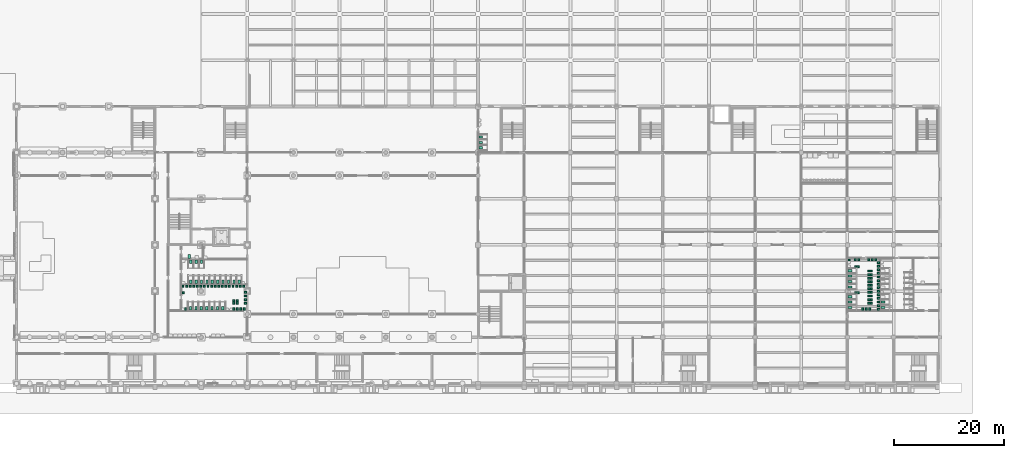
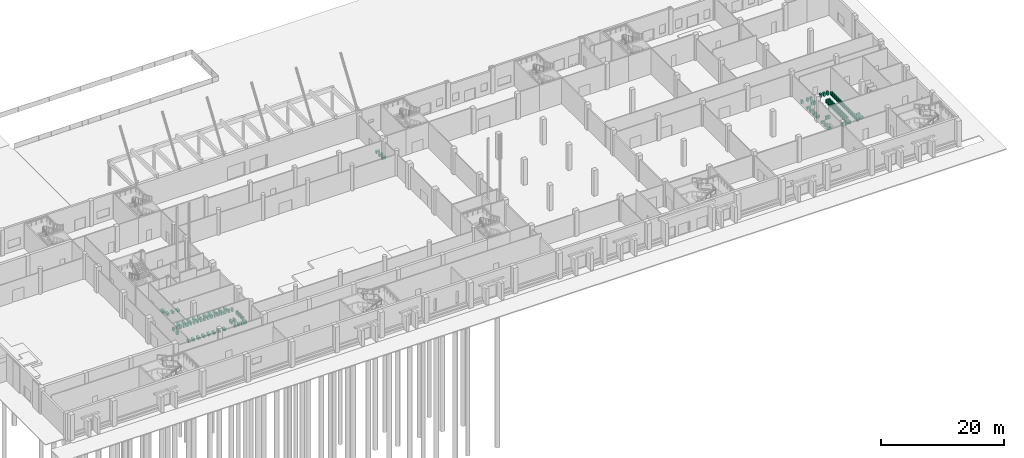
# One storey, part 72 of 74: 112 sanitary terminals.
"""IFC4 building model written with IfcOpenShell, lengths in metres."""

from ifc_helpers import new_model, si_unit, direction, frame, origin, origin_2d, place, context, subcontext, project, spatial, rectangle, extrude, material, type_object, element, save


model = new_model("IFC4")

# Units and contexts
model_context = context("Model", 3, precision=1e-05, world=origin(), true_north=direction((0.0, 1.0)))
body_context = subcontext(model_context, "Body", "Model", "MODEL_VIEW")
ifc_project = project(units=[si_unit("LENGTHUNIT", "METRE"), si_unit("AREAUNIT", "SQUARE_METRE"), si_unit("VOLUMEUNIT", "CUBIC_METRE"), si_unit("PLANEANGLEUNIT", "RADIAN"), si_unit("MASSUNIT", "GRAM", prefix="KILO")], contexts=[model_context])

# Site, building, storey
site_placement = place(None, origin())
site = spatial("IfcSite", under=ifc_project, at=site_placement, CompositionType="ELEMENT")
building_placement = place(site_placement, origin())
building = spatial("IfcBuilding", under=site, at=building_placement, Name="Rulbaag Community and Learning Centre", CompositionType="ELEMENT")
storey_placement = place(building_placement, origin())
storey = spatial("IfcBuildingStorey", under=building, at=storey_placement, Name="L00", CompositionType="ELEMENT", Elevation=0.0)

# Sanitary terminals
ifc_material = material(Name="Vitreous china", Category="ceramic")
sanitary_terminal_type_1 = type_object("IfcSanitaryTerminalType", Name="UR-350", PredefinedType="URINAL", material=ifc_material)
for number, where, z_axis, x_axis, name in (
    (1, (30.804931640625, 13.530029296875, 0.0), (0.0, 0.0, 1.0), (1.0, 0.0, 0.0), "Urinal 01"),
    (2, (39.5048828125, 13.530029296875, 0.0), (0.0, 0.0, 1.0), (1.0, 0.0, 0.0), "Urinal 02"),
    (3, (40.155029296875, 13.530029296875, 0.0), (0.0, 0.0, 1.0), (1.0, 0.0, 0.0), "Urinal 03"),
    (4, (40.804931640625, 13.530029296875, 0.0), (0.0, 0.0, 1.0), (1.0, 0.0, 0.0), "Urinal 04"),
    (5, (41.455078125, 13.530029296875, 0.0), (0.0, 0.0, 1.0), (1.0, 0.0, 0.0), "Urinal 05"),
    (6, (30.304931640625, 17.669921875, 0.0), (0.0, 0.0, 1.0), (1.0, 0.0, 0.0), "Urinal 06"),
    (7, (30.955078125, 17.669921875, 0.0), (0.0, 0.0, 1.0), (1.0, 0.0, 0.0), "Urinal 07"),
    (8, (31.60498046875, 17.669921875, 0.0), (0.0, 0.0, 1.0), (1.0, 0.0, 0.0), "Urinal 08"),
    (9, (32.2548828125, 17.669921875, 0.0), (0.0, 0.0, 1.0), (1.0, 0.0, 0.0), "Urinal 09"),
    (10, (32.905029296875, 17.669921875, 0.0), (0.0, 0.0, 1.0), (1.0, 0.0, 0.0), "Urinal 10"),
    (11, (33.554931640625, 17.669921875, 0.0), (0.0, 0.0, 1.0), (1.0, 0.0, 0.0), "Urinal 11"),
    (12, (34.205078125, 17.669921875, 0.0), (0.0, 0.0, 1.0), (1.0, 0.0, 0.0), "Urinal 12"),
    (13, (34.85498046875, 17.669921875, 0.0), (0.0, 0.0, 1.0), (1.0, 0.0, 0.0), "Urinal 13"),
    (14, (35.5048828125, 17.669921875, 0.0), (0.0, 0.0, 1.0), (1.0, 0.0, 0.0), "Urinal 14"),
    (15, (36.155029296875, 17.669921875, 0.0), (0.0, 0.0, 1.0), (1.0, 0.0, 0.0), "Urinal 15"),
    (16, (36.804931640625, 17.669921875, 0.0), (0.0, 0.0, 1.0), (1.0, 0.0, 0.0), "Urinal 16"),
    (17, (37.455078125, 17.669921875, 0.0), (0.0, 0.0, 1.0), (1.0, 0.0, 0.0), "Urinal 17"),
    (18, (38.10498046875, 17.669921875, 0.0), (0.0, 0.0, 1.0), (1.0, 0.0, 0.0), "Urinal 18"),
    (19, (38.7548828125, 17.669921875, 0.0), (0.0, 0.0, 1.0), (1.0, 0.0, 0.0), "Urinal 19"),
    (20, (39.405029296875, 17.669921875, 0.0), (0.0, 0.0, 1.0), (1.0, 0.0, 0.0), "Urinal 20"),
    (21, (40.054931640625, 17.669921875, 0.0), (0.0, 0.0, 1.0), (1.0, 0.0, 0.0), "Urinal 21"),
    (22, (40.705078125, 17.669921875, 0.0), (0.0, 0.0, 1.0), (1.0, 0.0, 0.0), "Urinal 22"),
    (23, (41.35498046875, 17.669921875, 0.0), (0.0, 0.0, 1.0), (1.0, 0.0, 0.0), "Urinal 23"),
):
    element("IfcSanitaryTerminal", number, at=place(storey_placement, frame(where, z_axis=z_axis, x_axis=x_axis)), inside=storey, type_object=sanitary_terminal_type_1, Name=name, PredefinedType="URINAL", context=body_context, shape_type="SweptSolid", body=[
        extrude(rectangle(XDim=0.35009765625, YDim=0.39990234375, at=origin_2d()), origin(), (0.0, 0.0, 1.0), 0.64990234375),
    ])
for number, where, z_axis, x_axis, name in (
    (24, (30.330078125, 16.455078125, 0.0), (0.0, 0.0, 1.0), (1.0, 0.0, 0.0), "Urinal 24"),
    (25, (41.669921875, 14.60498046875, 0.0), (0.0, 0.0, 1.0), (1.0, 0.0, 0.0), "Urinal 25"),
    (26, (41.669921875, 15.2548828125, 0.0), (0.0, 0.0, 1.0), (1.0, 0.0, 0.0), "Urinal 26"),
    (27, (41.669921875, 15.905029296875, 0.0), (0.0, 0.0, 1.0), (1.0, 0.0, 0.0), "Urinal 27"),
    (28, (41.669921875, 16.554931640625, 0.0), (0.0, 0.0, 1.0), (1.0, 0.0, 0.0), "Urinal 28"),
):
    element("IfcSanitaryTerminal", number, at=place(storey_placement, frame(where, z_axis=z_axis, x_axis=x_axis)), inside=storey, type_object=sanitary_terminal_type_1, Name=name, PredefinedType="URINAL", context=body_context, shape_type="SweptSolid", body=[
        extrude(rectangle(XDim=0.39990234375, YDim=0.35009765625, at=origin_2d()), origin(), (0.0, 0.0, 1.0), 0.64990234375),
    ])
for number, where, z_axis, x_axis, name in (
    (29, (39.5048828125, 14.6298828125, 0.0), (0.0, 0.0, 1.0), (1.0, 0.0, 0.0), "Urinal 29"),
    (30, (39.5048828125, 15.030029296875, 0.0), (0.0, 0.0, 1.0), (1.0, 0.0, 0.0), "Urinal 30"),
    (31, (40.155029296875, 14.6298828125, 0.0), (0.0, 0.0, 1.0), (1.0, 0.0, 0.0), "Urinal 31"),
    (32, (40.155029296875, 15.030029296875, 0.0), (0.0, 0.0, 1.0), (1.0, 0.0, 0.0), "Urinal 32"),
):
    element("IfcSanitaryTerminal", number, at=place(storey_placement, frame(where, z_axis=z_axis, x_axis=x_axis)), inside=storey, type_object=sanitary_terminal_type_1, Name=name, PredefinedType="URINAL", context=body_context, shape_type="SweptSolid", body=[
        extrude(rectangle(XDim=0.35009765625, YDim=0.39990234375, at=origin_2d()), origin(), (0.0, 0.0, 1.0), 0.64990234375),
    ])
for number, where, z_axis, x_axis, name in (
    (33, (151.530029296875, 22.455078125, 0.0), (0.0, 0.0, 1.0), (1.0, 0.0, 0.0), "Urinal 33"),
    (34, (156.8701171875, 13.5048828125, 0.0), (0.0, 0.0, 1.0), (1.0, 0.0, 0.0), "Urinal 34"),
    (35, (156.8701171875, 14.155029296875, 0.0), (0.0, 0.0, 1.0), (1.0, 0.0, 0.0), "Urinal 35"),
    (36, (156.8701171875, 14.804931640625, 0.0), (0.0, 0.0, 1.0), (1.0, 0.0, 0.0), "Urinal 36"),
    (37, (156.8701171875, 15.455078125, 0.0), (0.0, 0.0, 1.0), (1.0, 0.0, 0.0), "Urinal 37"),
    (38, (156.8701171875, 16.10498046875, 0.0), (0.0, 0.0, 1.0), (1.0, 0.0, 0.0), "Urinal 38"),
    (39, (156.8701171875, 16.7548828125, 0.0), (0.0, 0.0, 1.0), (1.0, 0.0, 0.0), "Urinal 39"),
    (40, (156.8701171875, 17.405029296875, 0.0), (0.0, 0.0, 1.0), (1.0, 0.0, 0.0), "Urinal 40"),
    (41, (156.8701171875, 18.054931640625, 0.0), (0.0, 0.0, 1.0), (1.0, 0.0, 0.0), "Urinal 41"),
    (42, (156.8701171875, 18.705078125, 0.0), (0.0, 0.0, 1.0), (1.0, 0.0, 0.0), "Urinal 42"),
    (43, (156.8701171875, 19.35498046875, 0.0), (0.0, 0.0, 1.0), (1.0, 0.0, 0.0), "Urinal 43"),
    (44, (156.8701171875, 20.0048828125, 0.0), (0.0, 0.0, 1.0), (1.0, 0.0, 0.0), "Urinal 44"),
    (45, (156.8701171875, 20.655029296875, 0.0), (0.0, 0.0, 1.0), (1.0, 0.0, 0.0), "Urinal 45"),
    (46, (156.8701171875, 21.304931640625, 0.0), (0.0, 0.0, 1.0), (1.0, 0.0, 0.0), "Urinal 46"),
    (47, (156.8701171875, 21.955078125, 0.0), (0.0, 0.0, 1.0), (1.0, 0.0, 0.0), "Urinal 47"),
):
    element("IfcSanitaryTerminal", number, at=place(storey_placement, frame(where, z_axis=z_axis, x_axis=x_axis)), inside=storey, type_object=sanitary_terminal_type_1, Name=name, PredefinedType="URINAL", context=body_context, shape_type="SweptSolid", body=[
        extrude(rectangle(XDim=0.39990234375, YDim=0.35009765625, at=origin_2d()), origin(), (0.0, 0.0, 1.0), 0.64990234375),
    ])
for number, where, z_axis, x_axis, name in (
    (48, (154.0048828125, 13.530029296875, 0.0), (0.0, 0.0, 1.0), (1.0, 0.0, 0.0), "Urinal 48"),
    (49, (154.655029296875, 13.530029296875, 0.0), (0.0, 0.0, 1.0), (1.0, 0.0, 0.0), "Urinal 49"),
    (50, (155.304931640625, 13.530029296875, 0.0), (0.0, 0.0, 1.0), (1.0, 0.0, 0.0), "Urinal 50"),
    (51, (152.60498046875, 22.469970703125, 0.0), (0.0, 0.0, 1.0), (1.0, 0.0, 0.0), "Urinal 51"),
    (52, (153.2548828125, 22.469970703125, 0.0), (0.0, 0.0, 1.0), (1.0, 0.0, 0.0), "Urinal 52"),
    (53, (155.054931640625, 22.469970703125, 0.0), (0.0, 0.0, 1.0), (1.0, 0.0, 0.0), "Urinal 53"),
    (54, (155.705078125, 22.469970703125, 0.0), (0.0, 0.0, 1.0), (1.0, 0.0, 0.0), "Urinal 54"),
    (55, (156.35498046875, 22.469970703125, 0.0), (0.0, 0.0, 1.0), (1.0, 0.0, 0.0), "Urinal 55"),
):
    element("IfcSanitaryTerminal", number, at=place(storey_placement, frame(where, z_axis=z_axis, x_axis=x_axis)), inside=storey, type_object=sanitary_terminal_type_1, Name=name, PredefinedType="URINAL", context=body_context, shape_type="SweptSolid", body=[
        extrude(rectangle(XDim=0.35009765625, YDim=0.39990234375, at=origin_2d()), origin(), (0.0, 0.0, 1.0), 0.64990234375),
    ])
for number, where, z_axis, x_axis, name in (
    (56, (152.72998046875, 16.455078125, 0.0), (0.0, 0.0, 1.0), (1.0, 0.0, 0.0), "Urinal 56"),
    (57, (153.1298828125, 16.455078125, 0.0), (0.0, 0.0, 1.0), (1.0, 0.0, 0.0), "Urinal 57"),
    (58, (152.72998046875, 21.205078125, 0.0), (0.0, 0.0, 1.0), (1.0, 0.0, 0.0), "Urinal 58"),
    (59, (153.1298828125, 21.205078125, 0.0), (0.0, 0.0, 1.0), (1.0, 0.0, 0.0), "Urinal 59"),
    (60, (155.1298828125, 14.60498046875, 0.0), (0.0, 0.0, 1.0), (1.0, 0.0, 0.0), "Urinal 60"),
    (61, (155.530029296875, 14.60498046875, 0.0), (0.0, 0.0, 1.0), (1.0, 0.0, 0.0), "Urinal 61"),
    (62, (155.1298828125, 15.2548828125, 0.0), (0.0, 0.0, 1.0), (1.0, 0.0, 0.0), "Urinal 62"),
    (63, (155.530029296875, 15.2548828125, 0.0), (0.0, 0.0, 1.0), (1.0, 0.0, 0.0), "Urinal 63"),
    (64, (155.1298828125, 15.905029296875, 0.0), (0.0, 0.0, 1.0), (1.0, 0.0, 0.0), "Urinal 64"),
    (65, (155.530029296875, 15.905029296875, 0.0), (0.0, 0.0, 1.0), (1.0, 0.0, 0.0), "Urinal 65"),
    (66, (155.1298828125, 16.554931640625, 0.0), (0.0, 0.0, 1.0), (1.0, 0.0, 0.0), "Urinal 66"),
    (67, (155.530029296875, 16.554931640625, 0.0), (0.0, 0.0, 1.0), (1.0, 0.0, 0.0), "Urinal 67"),
    (68, (155.1298828125, 17.205078125, 0.0), (0.0, 0.0, 1.0), (1.0, 0.0, 0.0), "Urinal 68"),
    (69, (155.530029296875, 17.205078125, 0.0), (0.0, 0.0, 1.0), (1.0, 0.0, 0.0), "Urinal 69"),
    (70, (155.1298828125, 17.85498046875, 0.0), (0.0, 0.0, 1.0), (1.0, 0.0, 0.0), "Urinal 70"),
    (71, (155.530029296875, 17.85498046875, 0.0), (0.0, 0.0, 1.0), (1.0, 0.0, 0.0), "Urinal 71"),
    (72, (155.1298828125, 18.5048828125, 0.0), (0.0, 0.0, 1.0), (1.0, 0.0, 0.0), "Urinal 72"),
    (73, (155.530029296875, 18.5048828125, 0.0), (0.0, 0.0, 1.0), (1.0, 0.0, 0.0), "Urinal 73"),
    (74, (155.1298828125, 19.155029296875, 0.0), (0.0, 0.0, 1.0), (1.0, 0.0, 0.0), "Urinal 74"),
    (75, (155.530029296875, 19.155029296875, 0.0), (0.0, 0.0, 1.0), (1.0, 0.0, 0.0), "Urinal 75"),
    (76, (155.1298828125, 19.804931640625, 0.0), (0.0, 0.0, 1.0), (1.0, 0.0, 0.0), "Urinal 76"),
    (77, (155.530029296875, 19.804931640625, 0.0), (0.0, 0.0, 1.0), (1.0, 0.0, 0.0), "Urinal 77"),
    (78, (155.1298828125, 20.455078125, 0.0), (0.0, 0.0, 1.0), (1.0, 0.0, 0.0), "Urinal 78"),
    (79, (155.530029296875, 20.455078125, 0.0), (0.0, 0.0, 1.0), (1.0, 0.0, 0.0), "Urinal 79"),
):
    element("IfcSanitaryTerminal", number, at=place(storey_placement, frame(where, z_axis=z_axis, x_axis=x_axis)), inside=storey, type_object=sanitary_terminal_type_1, Name=name, PredefinedType="URINAL", context=body_context, shape_type="SweptSolid", body=[
        extrude(rectangle(XDim=0.39990234375, YDim=0.35009765625, at=origin_2d()), origin(), (0.0, 0.0, 1.0), 0.64990234375),
    ])
sanitary_terminal_type_2 = type_object("IfcSanitaryTerminalType", Name="WC-400", PredefinedType="TOILETPAN", material=ifc_material)
for number, where, z_axis, x_axis, name in (
    (80, (31.669921875, 13.679931640625, 0.0), (0.0, 0.0, 1.0), (1.0, 0.0, 0.0), "WC 01"),
    (81, (32.64990234375, 13.679931640625, 0.0), (0.0, 0.0, 1.0), (1.0, 0.0, 0.0), "WC 02"),
    (82, (33.6298828125, 13.679931640625, 0.0), (0.0, 0.0, 1.0), (1.0, 0.0, 0.0), "WC 03"),
    (83, (34.610107421875, 13.679931640625, 0.0), (0.0, 0.0, 1.0), (1.0, 0.0, 0.0), "WC 04"),
    (84, (35.590087890625, 13.679931640625, 0.0), (0.0, 0.0, 1.0), (1.0, 0.0, 0.0), "WC 05"),
    (85, (36.570068359375, 13.679931640625, 0.0), (0.0, 0.0, 1.0), (1.0, 0.0, 0.0), "WC 06"),
    (86, (37.550048828125, 13.679931640625, 0.0), (0.0, 0.0, 1.0), (1.0, 0.0, 0.0), "WC 07"),
):
    element("IfcSanitaryTerminal", number, at=place(storey_placement, frame(where, z_axis=z_axis, x_axis=x_axis)), inside=storey, type_object=sanitary_terminal_type_2, Name=name, PredefinedType="TOILETPAN", context=body_context, shape_type="SweptSolid", body=[
        extrude(rectangle(XDim=0.39990234375, YDim=0.699951171875, at=origin_2d()), origin(), (0.0, 0.0, 1.0), 0.449951171875),
    ])
for number, where, z_axis, x_axis, name in (
    (87, (151.679931640625, 13.820068359375, 0.0), (0.0, 0.0, 1.0), (1.0, 0.0, 0.0), "WC 08"),
    (88, (151.679931640625, 14.800048828125, 0.0), (0.0, 0.0, 1.0), (1.0, 0.0, 0.0), "WC 09"),
    (89, (151.679931640625, 15.780029296875, 0.0), (0.0, 0.0, 1.0), (1.0, 0.0, 0.0), "WC 10"),
    (90, (151.679931640625, 17.56005859375, 0.0), (0.0, 0.0, 1.0), (1.0, 0.0, 0.0), "WC 11"),
    (91, (151.679931640625, 18.5400390625, 0.0), (0.0, 0.0, 1.0), (1.0, 0.0, 0.0), "WC 12"),
    (92, (151.679931640625, 19.52001953125, 0.0), (0.0, 0.0, 1.0), (1.0, 0.0, 0.0), "WC 13"),
    (93, (151.679931640625, 20.5, 0.0), (0.0, 0.0, 1.0), (1.0, 0.0, 0.0), "WC 14"),
    (94, (84.47998046875, 42.8701171875, 0.0), (0.0, 0.0, 1.0), (1.0, 0.0, 0.0), "WC 15"),
    (95, (84.47998046875, 43.85009765625, 0.0), (0.0, 0.0, 1.0), (1.0, 0.0, 0.0), "WC 16"),
    (96, (84.47998046875, 44.830078125, 0.0), (0.0, 0.0, 1.0), (1.0, 0.0, 0.0), "WC 17"),
    (97, (157.679931640625, 13.820068359375, 0.0), (0.0, 0.0, 1.0), (1.0, 0.0, 0.0), "WC 18"),
    (98, (157.679931640625, 14.800048828125, 0.0), (0.0, 0.0, 1.0), (1.0, 0.0, 0.0), "WC 19"),
):
    element("IfcSanitaryTerminal", number, at=place(storey_placement, frame(where, z_axis=z_axis, x_axis=x_axis)), inside=storey, type_object=sanitary_terminal_type_2, Name=name, PredefinedType="TOILETPAN", context=body_context, shape_type="SweptSolid", body=[
        extrude(rectangle(XDim=0.699951171875, YDim=0.39990234375, at=origin_2d()), origin(), (0.0, 0.0, 1.0), 0.449951171875),
    ])
for number, where, z_axis, x_axis, name in (
    (99, (31.719970703125, 18.47998046875, 0.0), (0.0, 0.0, 1.0), (1.0, 0.0, 0.0), "WC 32"),
    (100, (32.699951171875, 18.47998046875, 0.0), (0.0, 0.0, 1.0), (1.0, 0.0, 0.0), "WC 33"),
    (101, (33.679931640625, 18.47998046875, 0.0), (0.0, 0.0, 1.0), (1.0, 0.0, 0.0), "WC 34"),
    (102, (34.659912109375, 18.47998046875, 0.0), (0.0, 0.0, 1.0), (1.0, 0.0, 0.0), "WC 35"),
    (103, (35.639892578125, 18.47998046875, 0.0), (0.0, 0.0, 1.0), (1.0, 0.0, 0.0), "WC 36"),
    (104, (36.6201171875, 18.47998046875, 0.0), (0.0, 0.0, 1.0), (1.0, 0.0, 0.0), "WC 37"),
    (105, (37.60009765625, 18.47998046875, 0.0), (0.0, 0.0, 1.0), (1.0, 0.0, 0.0), "WC 38"),
    (106, (38.580078125, 18.47998046875, 0.0), (0.0, 0.0, 1.0), (1.0, 0.0, 0.0), "WC 39"),
    (107, (39.56005859375, 18.47998046875, 0.0), (0.0, 0.0, 1.0), (1.0, 0.0, 0.0), "WC 40"),
    (108, (40.5400390625, 18.47998046875, 0.0), (0.0, 0.0, 1.0), (1.0, 0.0, 0.0), "WC 41"),
    (109, (31.719970703125, 22.1201171875, 0.0), (0.0, 0.0, 1.0), (1.0, 0.0, 0.0), "WC 42"),
    (110, (32.699951171875, 22.1201171875, 0.0), (0.0, 0.0, 1.0), (1.0, 0.0, 0.0), "WC 43"),
    (111, (33.679931640625, 22.1201171875, 0.0), (0.0, 0.0, 1.0), (1.0, 0.0, 0.0), "WC 44"),
):
    element("IfcSanitaryTerminal", number, at=place(storey_placement, frame(where, z_axis=z_axis, x_axis=x_axis)), inside=storey, type_object=sanitary_terminal_type_2, Name=name, PredefinedType="TOILETPAN", context=body_context, shape_type="SweptSolid", body=[
        extrude(rectangle(XDim=0.39990234375, YDim=0.699951171875, at=origin_2d()), origin(), (0.0, 0.0, 1.0), 0.449951171875),
    ])
sanitary_terminal_type_3 = type_object("IfcSanitaryTerminalType", Name="WC-AC-480", PredefinedType="TOILETPAN", material=ifc_material)
sanitary_terminal_placement = place(storey_placement, frame((31.429931640625, 23.10498046875, 0.0), z_axis=(0.0, 0.0, 1.0), x_axis=(1.0, 0.0, 0.0)))
element("IfcSanitaryTerminal", 112, at=sanitary_terminal_placement, inside=storey, type_object=sanitary_terminal_type_3, Name="WC 45", PredefinedType="TOILETPAN", context=body_context, shape_type="SweptSolid", body=[
    extrude(rectangle(XDim=0.39990234375, YDim=0.75, at=origin_2d()), origin(), (0.0, 0.0, 1.0), 0.47998046875),
])

save(model, "model.ifc")
